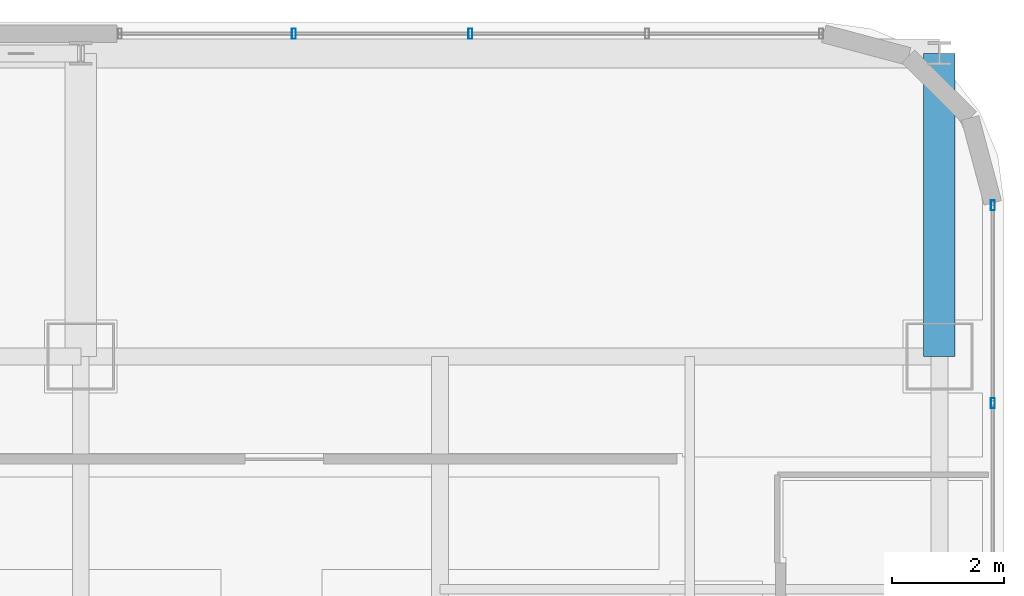
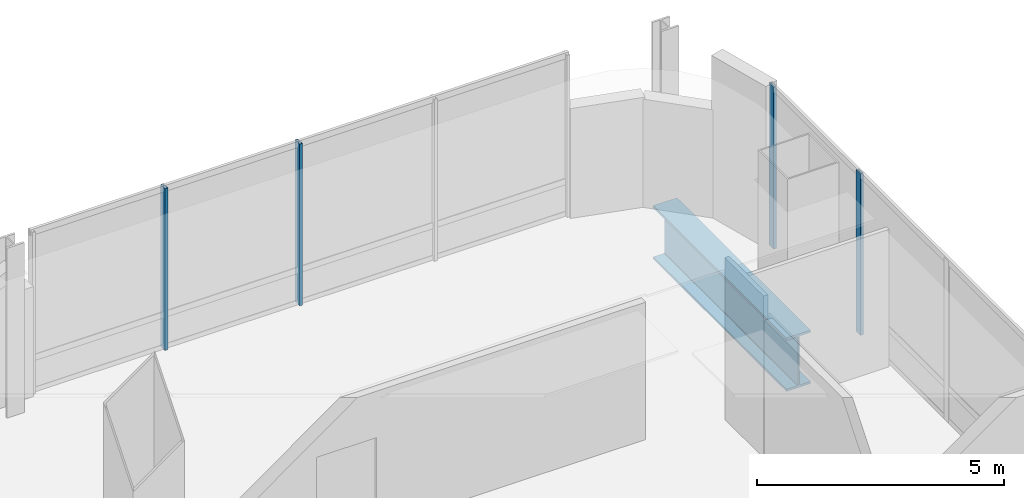
# One storey, part 27 of 43: 4 members, 1 beam, 2 elements without a shape of their own.
"""IFC4 building model written with IfcOpenShell, lengths in metres."""

from ifc_helpers import new_model, si_unit, direction, frame, origin, origin_2d, place, context, subcontext, project, spatial, hollow_rectangle, i_section, extrude, material, material_profile, profile_set, type_object, element, aggregate, save


model = new_model("IFC4")

# Units and contexts
model_context = context("Model", 3, precision=1e-05, world=origin(), true_north=direction((0.0, 1.0)))
body_context = subcontext(model_context, "Body", "Model", "MODEL_VIEW")
ifc_project = project(units=[si_unit("LENGTHUNIT", "METRE"), si_unit("AREAUNIT", "SQUARE_METRE"), si_unit("VOLUMEUNIT", "CUBIC_METRE"), si_unit("PLANEANGLEUNIT", "RADIAN"), si_unit("MASSUNIT", "GRAM", prefix="KILO")], contexts=[model_context])

# Site, building, storey
site_placement = place(None, origin())
site = spatial("IfcSite", under=ifc_project, at=site_placement, CompositionType="ELEMENT")
building_placement = place(site_placement, origin())
building = spatial("IfcBuilding", under=site, at=building_placement, Name="Punatoya Terracotta Tower", CompositionType="ELEMENT")
storey_placement = place(building_placement, frame((0.0, 0.0, 300.60009765625)))
storey = spatial("IfcBuildingStorey", under=building, at=storey_placement, Name="L71", CompositionType="ELEMENT", Elevation=300.60009765625)

# Beam
ifc_material_1 = material(Name="Steel S460", Category="steel")
ifc_material_profile_1 = material_profile(ifc_material_1, i_section(OverallWidth=0.56005859375, OverallDepth=1.320068359375, WebThickness=0.035888671875, FlangeThickness=0.054931640625, FilletRadius=0.01806640625, at=origin_2d()))
ifc_profile_set_1 = profile_set([ifc_material_profile_1], Name="Steel S460")
beam_type = type_object("IfcBeamType", Name="BM-TG-BLK", PredefinedType="BEAM", material=ifc_profile_set_1)
beam_placement = place(storey_placement, frame((19.10009765625, 17.5, -0.860107421875), z_axis=(0.0, 1.0, 0.0), x_axis=(-1.0, 0.0, 0.0)))
element("IfcBeam", 1, at=beam_placement, inside=storey, type_object=beam_type, Name="BM-L71-CANT-N4", PredefinedType="BEAM", context=body_context, shape_type="SweptSolid", body=[
    extrude(i_section(OverallWidth=0.56005859375, OverallDepth=1.320068359375, WebThickness=0.035888671875, FlangeThickness=0.054931640625, FilletRadius=0.01806640625, at=origin_2d()), origin(), (0.0, 0.0, 1.0), 5.39990234375),
])

# Curtain wall, members
ifc_material_2 = material(Name="Aluminium 6063-T6 + Double Low-E Glass", Category="aluminium")
curtain_wall_type = type_object("IfcCurtainWallType", Name="CW-M3", PredefinedType="NOTDEFINED", material=ifc_material_2)
curtain_wall_1_placement = place(storey_placement, origin())
curtain_wall_1 = element("IfcCurtainWall", 2, at=curtain_wall_1_placement, inside=storey, type_object=curtain_wall_type, Name="L71 Curtain Wall CW-L71-E05-1", PredefinedType="NOTDEFINED")
ifc_material_3 = material(Name="Aluminium 6063-T6", Category="aluminium")
ifc_material_profile_2 = material_profile(ifc_material_3, hollow_rectangle(XDim=0.070068359375, YDim=0.179931640625, WallThickness=0.00390625, at=origin_2d()))
ifc_profile_set_2 = profile_set([ifc_material_profile_2], Name="Aluminium 6063-T6")
member_type = type_object("IfcMemberType", Name="CW-MUL-M3", PredefinedType="MULLION", material=ifc_profile_set_2)
member_1_placement = place(storey_placement, frame((20.050048828125, 16.66943359375, 0.0), z_axis=(0.0, 0.0, 1.0), x_axis=(1.0, 0.0, 0.0)))
member_1 = element("IfcMember", 3, at=member_1_placement, type_object=member_type, Name="CW-L71-E05-1 Mullion 09", PredefinedType="MULLION", context=body_context, shape_type="SweptSolid", body=[
    extrude(hollow_rectangle(XDim=0.070068359375, YDim=0.179931640625, WallThickness=0.00390625, at=origin_2d()), origin(), (0.0, 0.0, 1.0), 4.0),
])
member_2_placement = place(storey_placement, frame((20.050048828125, 20.19189453125, 0.0), z_axis=(0.0, 0.0, 1.0), x_axis=(1.0, 0.0, 0.0)))
member_2 = element("IfcMember", 4, at=member_2_placement, type_object=member_type, Name="CW-L71-E05-1 Mullion 10", PredefinedType="MULLION", context=body_context, shape_type="SweptSolid", body=[
    extrude(hollow_rectangle(XDim=0.070068359375, YDim=0.179931640625, WallThickness=0.00390625, at=origin_2d()), origin(), (0.0, 0.0, 1.0), 4.0),
])
aggregate(curtain_wall_1, [member_1, member_2])

curtain_wall_2_placement = place(storey_placement, origin())
curtain_wall_2 = element("IfcCurtainWall", 5, at=curtain_wall_2_placement, inside=storey, type_object=curtain_wall_type, Name="L71 Curtain Wall CW-L71-N09-1", PredefinedType="NOTDEFINED")
member_3_placement = place(storey_placement, frame((10.743408203125, 23.25, 0.0), z_axis=(0.0, 0.0, 1.0), x_axis=(1.0, 0.0, 0.0)))
member_3 = element("IfcMember", 6, at=member_3_placement, type_object=member_type, Name="CW-L71-N09-1 Mullion 02", PredefinedType="MULLION", context=body_context, shape_type="SweptSolid", body=[
    extrude(hollow_rectangle(XDim=0.070068359375, YDim=0.179931640625, WallThickness=0.00390625, at=origin_2d()), origin(), (0.0, 0.0, 1.0), 4.0),
])
member_4_placement = place(storey_placement, frame((7.5966796875, 23.25, 0.0), z_axis=(0.0, 0.0, 1.0), x_axis=(1.0, 0.0, 0.0)))
member_4 = element("IfcMember", 7, at=member_4_placement, type_object=member_type, Name="CW-L71-N09-1 Mullion 03", PredefinedType="MULLION", context=body_context, shape_type="SweptSolid", body=[
    extrude(hollow_rectangle(XDim=0.070068359375, YDim=0.179931640625, WallThickness=0.00390625, at=origin_2d()), origin(), (0.0, 0.0, 1.0), 4.0),
])
aggregate(curtain_wall_2, [member_3, member_4])

save(model, "model.ifc")
